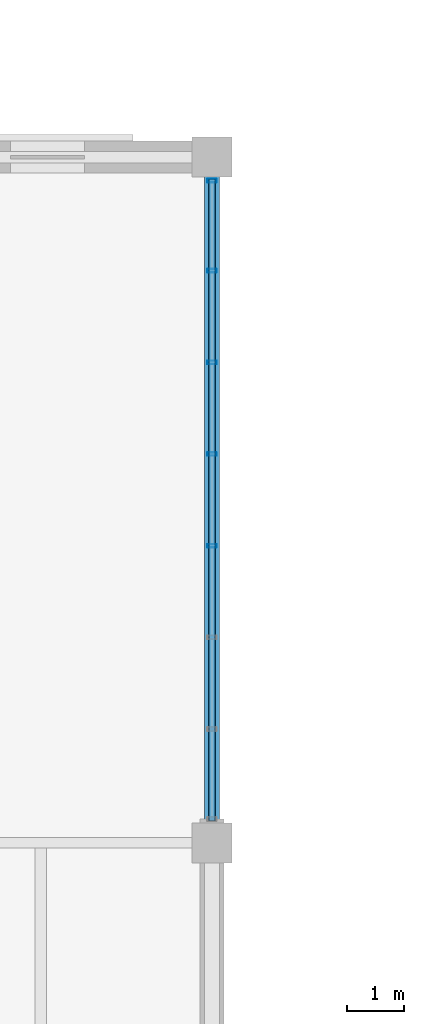
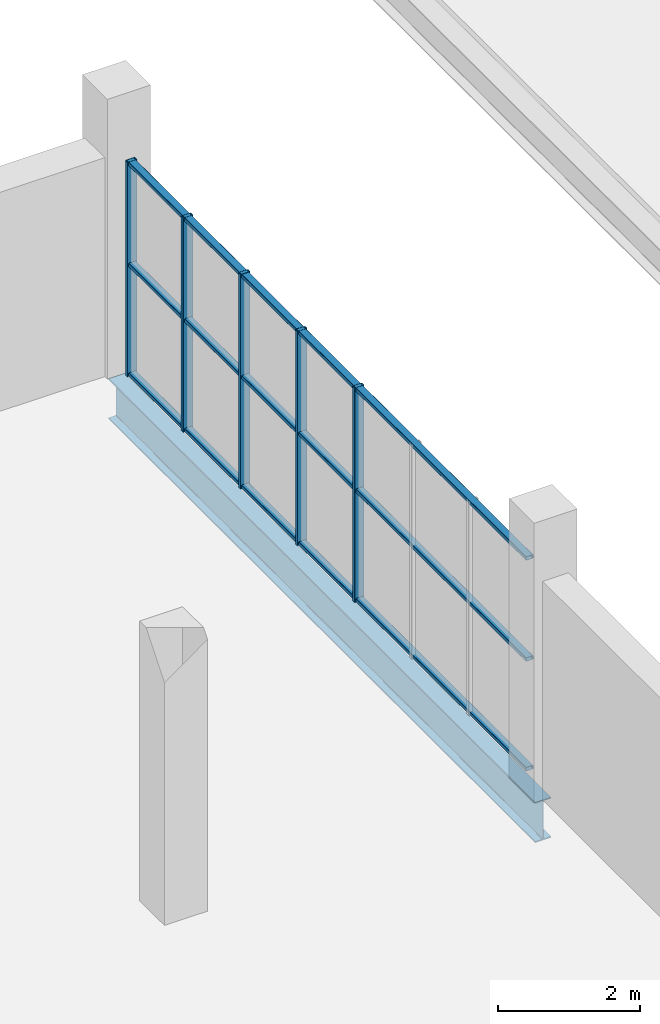
# One storey, part 61 of 114: 8 members, 1 beam, 1 element without a shape of its own.
"""IFC4 building model written with IfcOpenShell, lengths in metres."""

from ifc_helpers import new_model, si_unit, direction, frame, origin, origin_2d, place, context, subcontext, project, spatial, hollow_rectangle, i_section, extrude, material, material_profile, profile_set, type_object, element, aggregate, save


model = new_model("IFC4")

# Units and contexts
model_context = context("Model", 3, precision=1e-05, world=origin(), true_north=direction((0.0, 1.0)))
body_context = subcontext(model_context, "Body", "Model", "MODEL_VIEW")
ifc_project = project(units=[si_unit("LENGTHUNIT", "METRE"), si_unit("AREAUNIT", "SQUARE_METRE"), si_unit("VOLUMEUNIT", "CUBIC_METRE"), si_unit("PLANEANGLEUNIT", "RADIAN"), si_unit("MASSUNIT", "GRAM", prefix="KILO")], contexts=[model_context])

# Site, building, storey
site_placement = place(None, origin())
site = spatial("IfcSite", under=ifc_project, at=site_placement, CompositionType="ELEMENT")
building_placement = place(site_placement, origin())
building = spatial("IfcBuilding", under=site, at=building_placement, Name="Verrall Gate Interchange", CompositionType="ELEMENT")
storey_placement = place(building_placement, frame((0.0, 0.0, 6.60009765625)))
storey = spatial("IfcBuildingStorey", under=building, at=storey_placement, Name="L02", CompositionType="ELEMENT", Elevation=6.60009765625)

# Beam
ifc_material_1 = material(Name="Structural Steel CSA G40.21 350WT Cat 4", Category="steel")
ifc_material_profile_1 = material_profile(ifc_material_1, i_section(OverallWidth=0.256103515625, OverallDepth=0.693115234375, WebThickness=0.01318359375, FlangeThickness=0.02001953125, FilletRadius=0.01611328125, at=origin_2d()), Name="W690x170")
ifc_profile_set_1 = profile_set([ifc_material_profile_1], Name="Structural Steel CSA G40.21 350WT Cat 4")
beam_type = type_object("IfcBeamType", Name="B-07 Structural Beam W690x170", PredefinedType="BEAM", material=ifc_profile_set_1)
beam_placement = place(storey_placement, frame((36.0, 84.0, -0.626708984375), z_axis=(0.0, 1.0, 0.0), x_axis=(-1.0, 0.0, 0.0)))
element("IfcBeam", 1, at=beam_placement, inside=storey, type_object=beam_type, Name="L02 Girder BM-L02-1731 (B-07)", PredefinedType="BEAM", context=body_context, shape_type="SweptSolid", body=[
    extrude(i_section(OverallWidth=0.256103515625, OverallDepth=0.693115234375, WebThickness=0.01318359375, FlangeThickness=0.02001953125, FilletRadius=0.01611328125, at=origin_2d()), origin(), (0.0, 0.0, 1.0), 12.0),
])

# Curtain wall, members
ifc_material_2 = material(Name="Thermally Broken Anodized Aluminium Curtain Wall Framing", Category="aluminium")
curtain_wall_type = type_object("IfcCurtainWallType", Name="CW-29 Unitized Curtain Wall 11236x3680", PredefinedType="NOTDEFINED", material=ifc_material_2)
curtain_wall_placement = place(storey_placement, origin())
curtain_wall = element("IfcCurtainWall", 2, at=curtain_wall_placement, inside=storey, type_object=curtain_wall_type, Name="L02 Unitized Curtain Wall CW-L02-102", PredefinedType="NOTDEFINED")
ifc_material_3 = material(Name="Thermally Broken Anodized Aluminium Curtain Wall Framing", Category="aluminium")
ifc_material_profile_2 = material_profile(ifc_material_3, hollow_rectangle(XDim=0.06494140625, YDim=0.159912109375, WallThickness=0.00390625, InnerFilletRadius=0.00390625, OuterFilletRadius=0.008056640625, at=origin_2d()), Name="CWM160x65x4")
ifc_profile_set_2 = profile_set([ifc_material_profile_2], Name="Thermally Broken Anodized Aluminium Curtain Wall Framing")
member_type_1 = type_object("IfcMemberType", Name="CM-01 Curtain Mullion CWM160x65x4", PredefinedType="MULLION", material=ifc_profile_set_2)
member_1_placement = place(storey_placement, frame((36.0, 89.197509765625, 0.0), z_axis=(0.0, 0.0, 1.0), x_axis=(0.0, 1.0, 0.0)))
member_1 = element("IfcMember", 3, at=member_1_placement, type_object=member_type_1, Name="CW-L02-102 Mullion 4", PredefinedType="MULLION", context=body_context, shape_type="SweptSolid", body=[
    extrude(hollow_rectangle(XDim=0.06494140625, YDim=0.159912109375, WallThickness=0.00390625, InnerFilletRadius=0.00390625, OuterFilletRadius=0.008056640625, at=origin_2d()), origin(), (0.0, 0.0, 1.0), 3.679931640625),
])
member_2_placement = place(storey_placement, frame((36.0, 90.802490234375, 0.0), z_axis=(0.0, 0.0, 1.0), x_axis=(0.0, 1.0, 0.0)))
member_2 = element("IfcMember", 4, at=member_2_placement, type_object=member_type_1, Name="CW-L02-102 Mullion 5", PredefinedType="MULLION", context=body_context, shape_type="SweptSolid", body=[
    extrude(hollow_rectangle(XDim=0.06494140625, YDim=0.159912109375, WallThickness=0.00390625, InnerFilletRadius=0.00390625, OuterFilletRadius=0.008056640625, at=origin_2d()), origin(), (0.0, 0.0, 1.0), 3.679931640625),
])
member_3_placement = place(storey_placement, frame((36.0, 92.40771484375, 0.0), z_axis=(0.0, 0.0, 1.0), x_axis=(0.0, 1.0, 0.0)))
member_3 = element("IfcMember", 5, at=member_3_placement, type_object=member_type_1, Name="CW-L02-102 Mullion 6", PredefinedType="MULLION", context=body_context, shape_type="SweptSolid", body=[
    extrude(hollow_rectangle(XDim=0.06494140625, YDim=0.159912109375, WallThickness=0.00390625, InnerFilletRadius=0.00390625, OuterFilletRadius=0.008056640625, at=origin_2d()), origin(), (0.0, 0.0, 1.0), 3.679931640625),
])
member_4_placement = place(storey_placement, frame((36.0, 94.012939453125, 0.0), z_axis=(0.0, 0.0, 1.0), x_axis=(0.0, 1.0, 0.0)))
member_4 = element("IfcMember", 6, at=member_4_placement, type_object=member_type_1, Name="CW-L02-102 Mullion 7", PredefinedType="MULLION", context=body_context, shape_type="SweptSolid", body=[
    extrude(hollow_rectangle(XDim=0.06494140625, YDim=0.159912109375, WallThickness=0.00390625, InnerFilletRadius=0.00390625, OuterFilletRadius=0.008056640625, at=origin_2d()), origin(), (0.0, 0.0, 1.0), 3.679931640625),
])
member_5_placement = place(storey_placement, frame((36.0, 95.58544921875, 0.0), z_axis=(0.0, 0.0, 1.0), x_axis=(0.0, 1.0, 0.0)))
member_5 = element("IfcMember", 7, at=member_5_placement, type_object=member_type_1, Name="CW-L02-102 Mullion 8", PredefinedType="MULLION", context=body_context, shape_type="SweptSolid", body=[
    extrude(hollow_rectangle(XDim=0.06494140625, YDim=0.159912109375, WallThickness=0.00390625, InnerFilletRadius=0.00390625, OuterFilletRadius=0.008056640625, at=origin_2d()), origin(), (0.0, 0.0, 1.0), 3.679931640625),
])
ifc_material_4 = material(Name="Thermally Broken Anodized Aluminium Curtain Wall Framing", Category="aluminium")
ifc_material_profile_3 = material_profile(ifc_material_4, hollow_rectangle(XDim=0.1201171875, YDim=0.06494140625, WallThickness=0.00390625, InnerFilletRadius=0.00390625, OuterFilletRadius=0.008056640625, at=origin_2d()), Name="CWT120x65x4")
ifc_profile_set_3 = profile_set([ifc_material_profile_3], Name="Thermally Broken Anodized Aluminium Curtain Wall Framing")
member_type_2 = type_object("IfcMemberType", Name="CT-01 Curtain Transom CWT120x65x4", PredefinedType="USERDEFINED", material=ifc_profile_set_3)
member_6_placement = place(storey_placement, frame((36.0, 84.382080078125, 0.032470703125), z_axis=(0.0, 1.0, 0.0), x_axis=(-1.0, 0.0, 0.0)))
member_6 = element("IfcMember", 8, at=member_6_placement, type_object=member_type_2, Name="CW-L02-102 Transom 1", ObjectType="TRANSOM", PredefinedType="USERDEFINED", context=body_context, shape_type="SweptSolid", body=[
    extrude(hollow_rectangle(XDim=0.1201171875, YDim=0.06494140625, WallThickness=0.00390625, InnerFilletRadius=0.00390625, OuterFilletRadius=0.008056640625, at=origin_2d()), origin(), (0.0, 0.0, 1.0), 11.23583984375),
])
member_7_placement = place(storey_placement, frame((36.0, 84.382080078125, 1.91357421875), z_axis=(0.0, 1.0, 0.0), x_axis=(-1.0, 0.0, 0.0)))
member_7 = element("IfcMember", 9, at=member_7_placement, type_object=member_type_2, Name="CW-L02-102 Transom 2", ObjectType="TRANSOM", PredefinedType="USERDEFINED", context=body_context, shape_type="SweptSolid", body=[
    extrude(hollow_rectangle(XDim=0.1201171875, YDim=0.06494140625, WallThickness=0.00390625, InnerFilletRadius=0.00390625, OuterFilletRadius=0.008056640625, at=origin_2d()), origin(), (0.0, 0.0, 1.0), 11.23583984375),
])
member_8_placement = place(storey_placement, frame((36.0, 84.382080078125, 3.6474609375), z_axis=(0.0, 1.0, 0.0), x_axis=(-1.0, 0.0, 0.0)))
member_8 = element("IfcMember", 10, at=member_8_placement, type_object=member_type_2, Name="CW-L02-102 Transom 3", ObjectType="TRANSOM", PredefinedType="USERDEFINED", context=body_context, shape_type="SweptSolid", body=[
    extrude(hollow_rectangle(XDim=0.1201171875, YDim=0.06494140625, WallThickness=0.00390625, InnerFilletRadius=0.00390625, OuterFilletRadius=0.008056640625, at=origin_2d()), origin(), (0.0, 0.0, 1.0), 11.23583984375),
])
aggregate(curtain_wall, [member_1, member_2, member_3, member_4, member_5, member_6, member_7, member_8])

save(model, "model.ifc")
